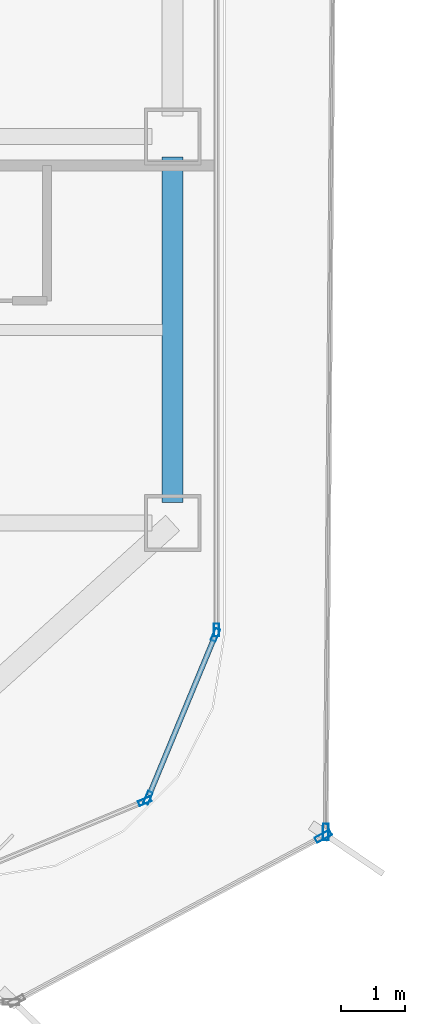
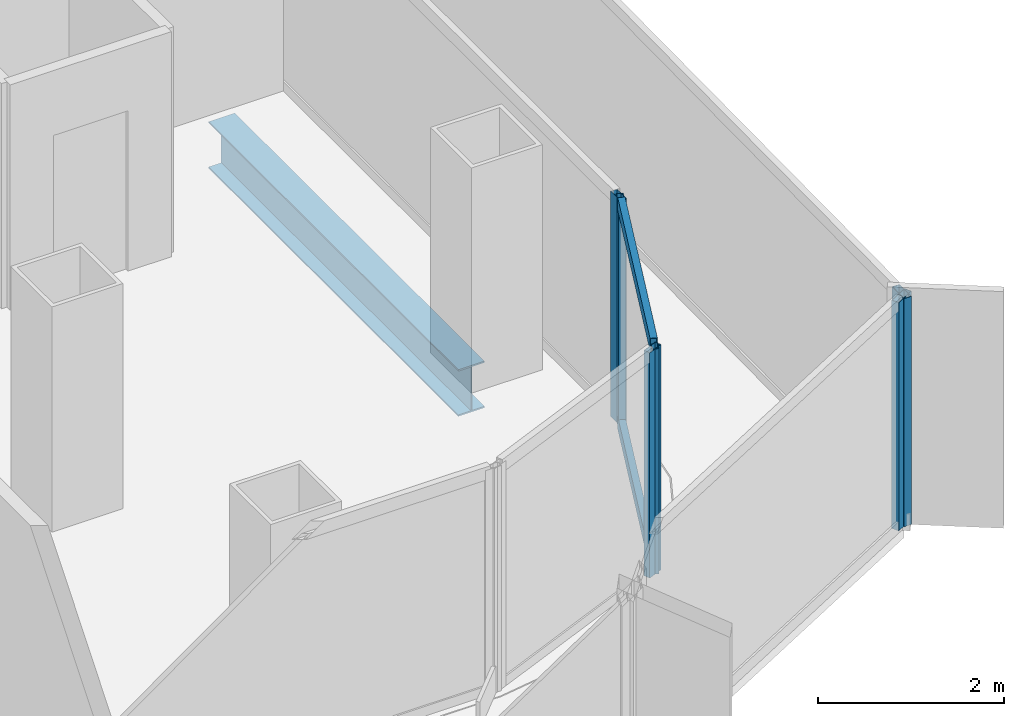
# One storey, part 8 of 21: 8 members, 1 beam, 5 elements without a shape of their own.
"""IFC4 building model written with IfcOpenShell, lengths in metres."""

from ifc_helpers import new_model, si_unit, direction, frame, origin, origin_2d, place, context, subcontext, project, spatial, hollow_rectangle, i_section, extrude, source, transform, mapped, material, layer, layer_set, material_profile, profile_set, type_object, element, aggregate, save


model = new_model("IFC4")

# Units and contexts
model_context = context("Model", 3, precision=1e-05, world=origin(), true_north=direction((0.0, 1.0)))
body_context = subcontext(model_context, "Body", "Model", "MODEL_VIEW")
ifc_project = project(units=[si_unit("LENGTHUNIT", "METRE"), si_unit("AREAUNIT", "SQUARE_METRE"), si_unit("VOLUMEUNIT", "CUBIC_METRE"), si_unit("PLANEANGLEUNIT", "RADIAN"), si_unit("MASSUNIT", "GRAM", prefix="KILO")], contexts=[model_context])

# Site, building, storey
site_placement = place(None, origin())
site = spatial("IfcSite", under=ifc_project, at=site_placement, CompositionType="ELEMENT")
building_placement = place(site_placement, origin())
building = spatial("IfcBuilding", under=site, at=building_placement, Name="Kolveth Station Tower", CompositionType="ELEMENT")
storey_placement = place(building_placement, frame((0.0, 0.0, 111.89990234375)))
storey = spatial("IfcBuildingStorey", under=building, at=storey_placement, Name="L30", CompositionType="ELEMENT", Elevation=111.89990234375)

# Beam
ifc_material_1 = material(Name="Steel S355", Category="steel")
ifc_material_profile_1 = material_profile(ifc_material_1, i_section(OverallWidth=0.323974609375, OverallDepth=0.611083984375, WebThickness=0.0126953125, FlangeThickness=0.01904296875, at=origin_2d()), Name="W610x155")
ifc_profile_set_1 = profile_set([ifc_material_profile_1], Name="Steel S355")
beam_type = type_object("IfcBeamType", Name="Beam_SP2", PredefinedType="SPANDREL", material=ifc_profile_set_1)
shared_shape_1 = source(origin(), body_context, "Body", "SweptSolid", [
    extrude(i_section(OverallWidth=0.323974609375, OverallDepth=0.611083984375, WebThickness=0.0126953125, FlangeThickness=0.01904296875, at=origin_2d()), origin(), (0.0, 0.0, 1.0), 5.35986328125),
])
beam_placement = place(storey_placement, frame((46.199951171875, 5.820068359375, -0.555419921875), z_axis=(0.0, 1.0, 0.0), x_axis=(-1.0, 0.0, 0.0)))
element("IfcBeam", 1, at=beam_placement, inside=storey, type_object=beam_type, Name="L30 Perimeter Spandrel BM-L30-PE-1", PredefinedType="SPANDREL", context=body_context, shape_type="MappedRepresentation", body=[
    mapped(shared_shape_1, transform((0.0, 0.0, 0.0), x_axis=(1.0, 0.0, 0.0), y_axis=(0.0, 1.0, 0.0), z_axis=(0.0, 0.0, 1.0), scale=1.0)),
])

# Curtain wall, members
ifc_material_2 = material(Name="Aluminium 6063-T6 and low-E dark glass", Category="aluminium")
ifc_layer_1 = layer(ifc_material_2, 0.18994140625)
ifc_layer_set_1 = layer_set([ifc_layer_1], Name="Aluminium 6063-T6 and low-E dark glass")
curtain_wall_type_1 = type_object("IfcCurtainWallType", Name="CurtainWall_CW-Z2", PredefinedType="NOTDEFINED", material=ifc_layer_set_1)
curtain_wall_1_placement = place(storey_placement, origin())
curtain_wall_1 = element("IfcCurtainWall", 2, at=curtain_wall_1_placement, inside=storey, type_object=curtain_wall_type_1, Name="L30 Inner Thermal Curtain Wall 2", PredefinedType="NOTDEFINED")
ifc_material_3 = material(Name="Black anodized aluminium 6063-T6", Category="aluminium")
ifc_material_profile_2 = material_profile(ifc_material_3, hollow_rectangle(XDim=0.080078125, YDim=0.169921875, WallThickness=0.0048828125, at=origin_2d()), Name="ALU-80x170x5")
ifc_profile_set_2 = profile_set([ifc_material_profile_2], Name="Black anodized aluminium 6063-T6")
member_type_1 = type_object("IfcMemberType", Name="Transom_TR2", PredefinedType="USERDEFINED", material=ifc_profile_set_2)
shared_shape_2 = source(origin(), body_context, "Body", "SweptSolid", [
    extrude(hollow_rectangle(XDim=0.080078125, YDim=0.169921875, WallThickness=0.0048828125, at=origin_2d()), origin(), (0.0, 0.0, 1.0), 2.656494140625),
])
member_1_placement = place(storey_placement, frame((45.832763671875, 1.271728515625, 0.0400390625), z_axis=(0.382676455475, 0.923882422403, 0.0), x_axis=(-0.923882422403, 0.382676455475, 0.0)))
member_1 = element("IfcMember", 3, at=member_1_placement, type_object=member_type_1, Name="CW-Z2 transom 1.1", ObjectType="TRANSOM", PredefinedType="USERDEFINED", context=body_context, shape_type="MappedRepresentation", body=[
    mapped(shared_shape_2, transform((0.0, 0.0, 0.0), x_axis=(1.0, 0.0, 0.0), y_axis=(0.0, 1.0, 0.0), z_axis=(0.0, 0.0, 1.0), scale=1.0)),
])
member_2_placement = place(storey_placement, frame((45.832763671875, 1.271728515625, 2.91015625), z_axis=(0.382676455475, 0.923882422403, 0.0), x_axis=(-0.923882422403, 0.382676455475, 0.0)))
member_2 = element("IfcMember", 4, at=member_2_placement, type_object=member_type_1, Name="CW-Z2 transom 1.2", ObjectType="TRANSOM", PredefinedType="USERDEFINED", context=body_context, shape_type="MappedRepresentation", body=[
    mapped(shared_shape_2, transform((0.0, 0.0, 0.0), x_axis=(1.0, 0.0, 0.0), y_axis=(0.0, 1.0, 0.0), z_axis=(0.0, 0.0, 1.0), scale=1.0)),
])

# Curtain wall, member
ifc_material_4 = material(Name="Black anodized aluminium 6063-T6 and dark solar glass", Category="aluminium")
ifc_layer_2 = layer(ifc_material_4, 0.159912109375)
ifc_layer_set_2 = layer_set([ifc_layer_2], Name="Black anodized aluminium 6063-T6 and dark solar glass")
curtain_wall_type_2 = type_object("IfcCurtainWallType", Name="OUTER SKIN CW-OS", PredefinedType="NOTDEFINED", material=ifc_layer_set_2)
curtain_wall_2_placement = place(storey_placement, origin())
curtain_wall_2 = element("IfcCurtainWall", 5, at=curtain_wall_2_placement, inside=storey, type_object=curtain_wall_type_2, Name="L30 Outer Ventilated Skin Curtain Wall 1", PredefinedType="NOTDEFINED")
ifc_material_profile_3 = material_profile(ifc_material_3, hollow_rectangle(XDim=0.090087890625, YDim=0.260009765625, WallThickness=0.0048828125, at=origin_2d()), Name="ALU-90x260x5")
ifc_profile_set_3 = profile_set([ifc_material_profile_3], Name="Black anodized aluminium 6063-T6")
member_type_2 = type_object("IfcMemberType", Name="FIN MULLION ML-OS", PredefinedType="MULLION", material=ifc_profile_set_3)
shared_shape_3 = source(origin(), body_context, "Body", "SweptSolid", [
    extrude(hollow_rectangle(XDim=0.090087890625, YDim=0.260009765625, WallThickness=0.0048828125, at=origin_2d()), origin(), (0.0, 0.0, 1.0), 2.989990234375),
])
member_3_placement = place(storey_placement, frame((48.53759765625, 0.63671875, 0.0), z_axis=(0.0, 0.0, 1.0), x_axis=(-0.472446264099, 0.88135947691, 0.0)))
member_3 = element("IfcMember", 6, at=member_3_placement, type_object=member_type_2, Name="CW-OS mullion 2", PredefinedType="MULLION", context=body_context, shape_type="MappedRepresentation", body=[
    mapped(shared_shape_3, transform((0.0, 0.0, 0.0), x_axis=(1.0, 0.0, 0.0), y_axis=(0.0, 1.0, 0.0), z_axis=(0.0, 0.0, 1.0), scale=1.0)),
])
aggregate(curtain_wall_2, [member_3])

curtain_wall_3_placement = place(storey_placement, origin())
curtain_wall_3 = element("IfcCurtainWall", 7, at=curtain_wall_3_placement, inside=storey, type_object=curtain_wall_type_2, Name="L30 Outer Ventilated Skin Curtain Wall 2", PredefinedType="NOTDEFINED")
member_4_placement = place(storey_placement, frame((48.57763671875, 0.703125, 0.0), z_axis=(0.0, 0.0, 1.0), x_axis=(-0.99996676574, 0.008152755074, 0.0)))
member_4 = element("IfcMember", 8, at=member_4_placement, type_object=member_type_2, Name="CW-OS mullion 1", PredefinedType="MULLION", context=body_context, shape_type="MappedRepresentation", body=[
    mapped(shared_shape_3, transform((0.0, 0.0, 0.0), x_axis=(1.0, 0.0, 0.0), y_axis=(0.0, 1.0, 0.0), z_axis=(0.0, 0.0, 1.0), scale=1.0)),
])
aggregate(curtain_wall_3, [member_4])

curtain_wall_4_placement = place(storey_placement, origin())
curtain_wall_4 = element("IfcCurtainWall", 9, at=curtain_wall_4_placement, inside=storey, type_object=curtain_wall_type_1, Name="L30 Inner Thermal Curtain Wall 1", PredefinedType="NOTDEFINED")
ifc_material_profile_4 = material_profile(ifc_material_3, hollow_rectangle(XDim=0.080078125, YDim=0.199951171875, WallThickness=0.0048828125, at=origin_2d()), Name="ALU-80x200x5")
ifc_profile_set_4 = profile_set([ifc_material_profile_4], Name="Black anodized aluminium 6063-T6")
member_type_3 = type_object("IfcMemberType", Name="Mullion_ML2", PredefinedType="MULLION", material=ifc_profile_set_4)
shared_shape_4 = source(origin(), body_context, "Body", "SweptSolid", [
    extrude(hollow_rectangle(XDim=0.080078125, YDim=0.199951171875, WallThickness=0.0048828125, at=origin_2d()), origin(), (0.0, 0.0, 1.0), 2.9501953125),
])
member_5_placement = place(storey_placement, frame((45.76513671875, 1.182373046875, 0.0), z_axis=(0.0, 0.0, 1.0), x_axis=(-0.38266326998, 0.923887883787, 0.0)))
member_5 = element("IfcMember", 10, at=member_5_placement, type_object=member_type_3, Name="CW-Z2 mullion 2", PredefinedType="MULLION", context=body_context, shape_type="MappedRepresentation", body=[
    mapped(shared_shape_4, transform((0.0, 0.0, 0.0), x_axis=(1.0, 0.0, 0.0), y_axis=(0.0, 1.0, 0.0), z_axis=(0.0, 0.0, 1.0), scale=1.0)),
])
aggregate(curtain_wall_4, [member_5])

# Member
member_6_placement = place(storey_placement, frame((45.817626953125, 1.23486328125, 0.0), z_axis=(0.0, 0.0, 1.0), x_axis=(-0.923887883787, 0.38266326998, 0.0)))
member_6 = element("IfcMember", 11, at=member_6_placement, type_object=member_type_3, Name="CW-Z2 mullion 1", PredefinedType="MULLION", context=body_context, shape_type="MappedRepresentation", body=[
    mapped(shared_shape_4, transform((0.0, 0.0, 0.0), x_axis=(1.0, 0.0, 0.0), y_axis=(0.0, 1.0, 0.0), z_axis=(0.0, 0.0, 1.0), scale=1.0)),
])

member_7_placement = place(storey_placement, frame((46.86474609375, 3.762939453125, 0.0), z_axis=(0.0, 0.0, 1.0), x_axis=(-0.923887883787, 0.38266326998, 0.0)))
member_7 = element("IfcMember", 12, at=member_7_placement, type_object=member_type_3, Name="CW-Z2 mullion 2", PredefinedType="MULLION", context=body_context, shape_type="MappedRepresentation", body=[
    mapped(shared_shape_4, transform((0.0, 0.0, 0.0), x_axis=(1.0, 0.0, 0.0), y_axis=(0.0, 1.0, 0.0), z_axis=(0.0, 0.0, 1.0), scale=1.0)),
])

aggregate(curtain_wall_1, [member_6, member_7, member_1, member_2])

# Curtain wall, member
curtain_wall_5_placement = place(storey_placement, origin())
curtain_wall_5 = element("IfcCurtainWall", 13, at=curtain_wall_5_placement, inside=storey, type_object=curtain_wall_type_1, Name="L30 Inner Thermal Curtain Wall 3", PredefinedType="NOTDEFINED")
member_8_placement = place(storey_placement, frame((46.8798828125, 3.840087890625, 0.0), z_axis=(0.0, 0.0, 1.0), x_axis=(-1.0, 0.0, 0.0)))
member_8 = element("IfcMember", 14, at=member_8_placement, type_object=member_type_3, Name="CW-Z2 mullion 1", PredefinedType="MULLION", context=body_context, shape_type="MappedRepresentation", body=[
    mapped(shared_shape_4, transform((0.0, 0.0, 0.0), x_axis=(1.0, 0.0, 0.0), y_axis=(0.0, 1.0, 0.0), z_axis=(0.0, 0.0, 1.0), scale=1.0)),
])
aggregate(curtain_wall_5, [member_8])

save(model, "model.ifc")
